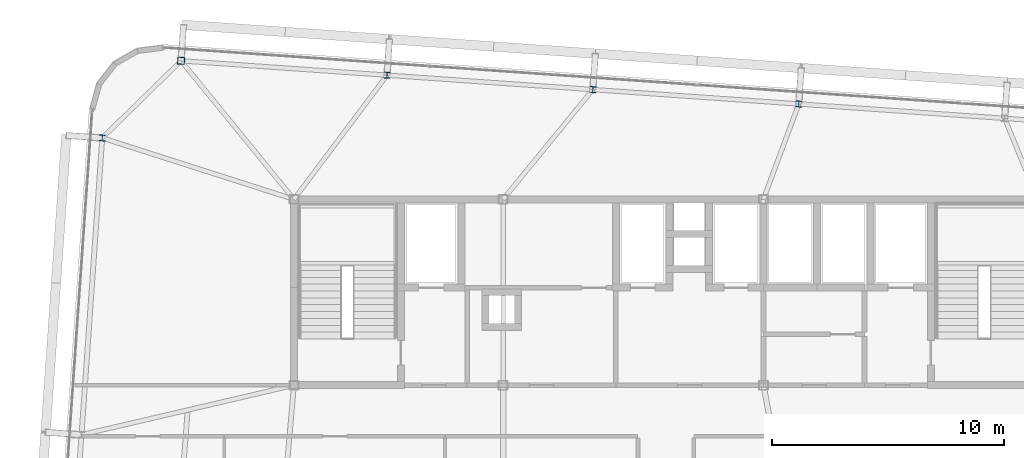
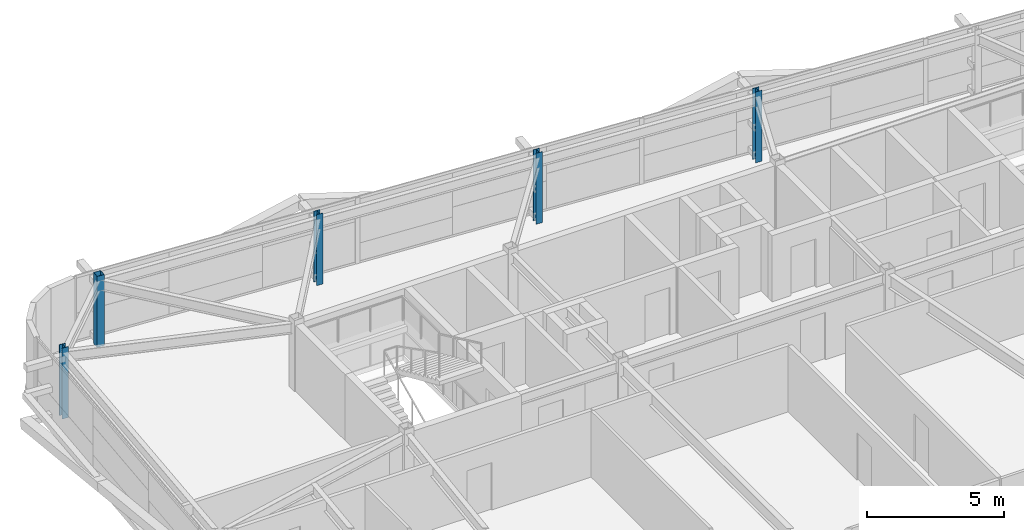
# One storey, part 4 of 39: 5 columns.
"""IFC4 building model written with IfcOpenShell, lengths in metres."""

from ifc_helpers import new_model, si_unit, direction, frame, origin, origin_2d, place, context, subcontext, project, spatial, hollow_rectangle, i_section, extrude, source, transform, mapped, material, material_profile, profile_set, type_object, element, save


model = new_model("IFC4")

# Units and contexts
model_context = context("Model", 3, precision=1e-05, world=origin(), true_north=direction((0.0, 1.0)))
body_context = subcontext(model_context, "Body", "Model", "MODEL_VIEW")
ifc_project = project(units=[si_unit("LENGTHUNIT", "METRE"), si_unit("AREAUNIT", "SQUARE_METRE"), si_unit("VOLUMEUNIT", "CUBIC_METRE"), si_unit("PLANEANGLEUNIT", "RADIAN"), si_unit("MASSUNIT", "GRAM", prefix="KILO")], contexts=[model_context])

# Site, building, storey
site_placement = place(None, origin())
site = spatial("IfcSite", under=ifc_project, at=site_placement, CompositionType="ELEMENT")
building_placement = place(site_placement, origin())
building = spatial("IfcBuilding", under=site, at=building_placement, Name="Taldren Reach Tower", CompositionType="ELEMENT")
storey_placement = place(building_placement, frame((0.0, 0.0, 126.699951171875)))
storey = spatial("IfcBuildingStorey", under=building, at=storey_placement, Name="L38", CompositionType="ELEMENT", Elevation=126.699951171875)

# Columns
ifc_material_1 = material(Name="Steel Gr 450 (C450L0)", Category="steel")
ifc_material_profile_1 = material_profile(ifc_material_1, hollow_rectangle(XDim=0.300048828125, YDim=0.300048828125, WallThickness=0.012451171875, at=origin_2d()), Name="300x300x12.5SHS")
ifc_profile_set_1 = profile_set([ifc_material_profile_1], Name="Steel Gr 450 (C450L0)")
column_type_1 = type_object("IfcColumnType", Name="COL-SHS300", PredefinedType="COLUMN", material=ifc_profile_set_1)
shared_shape_1 = source(origin(), body_context, "Body", "SweptSolid", [
    extrude(hollow_rectangle(XDim=0.300048828125, YDim=0.300048828125, WallThickness=0.012451171875, at=origin_2d()), origin(), (0.0, 0.0, 1.0), 3.150146484375),
])
column_placement = place(storey_placement, frame((14.14453125, 37.958740234375, 0.0), z_axis=(0.0, 0.0, 1.0), x_axis=(0.99756405026, -0.069756473744, 0.0)))
element("IfcColumn", 1, at=column_placement, inside=storey, type_object=column_type_1, Name="Block B3 perimeter column N1 L38", PredefinedType="COLUMN", context=body_context, shape_type="MappedRepresentation", body=[
    mapped(shared_shape_1, transform((0.0, 0.0, 0.0), scale=1.0)),
])
ifc_material_2 = material(Name="Steel Gr 350 (350PLUS)", Category="steel")
ifc_material_profile_2 = material_profile(ifc_material_2, i_section(OverallWidth=0.256103515625, OverallDepth=0.260009765625, WebThickness=0.010498046875, FlangeThickness=0.017333984375, at=origin_2d()), Name="250UC89.5")
ifc_profile_set_2 = profile_set([ifc_material_profile_2], Name="Steel Gr 350 (350PLUS)")
column_type_2 = type_object("IfcColumnType", Name="COL-UC250", PredefinedType="COLUMN", material=ifc_profile_set_2)
shared_shape_2 = source(origin(), body_context, "Body", "SweptSolid", [
    extrude(i_section(OverallWidth=0.256103515625, OverallDepth=0.260009765625, WebThickness=0.010498046875, FlangeThickness=0.017333984375, at=origin_2d()), origin(), (0.0, 0.0, 1.0), 3.150146484375),
])
for number, where, z_axis, x_axis, name in (
    (2, (23.0029296875, 37.33935546875, 0.0), (0.0, 0.0, 1.0), (0.99756405026, -0.069756473744, 0.0), "Block B3 perimeter column N2 L38"),
    (3, (31.861328125, 36.719970703125, 0.0), (0.0, 0.0, 1.0), (0.99756405026, -0.069756473744, 0.0), "Block B3 perimeter column N3 L38"),
    (4, (40.7197265625, 36.100341796875, 0.0), (0.0, 0.0, 1.0), (0.99756405026, -0.069756473744, 0.0), "Block B3 perimeter column N4 L38"),
    (5, (10.754638671875, 34.63720703125, 0.0), (0.0, 0.0, 1.0), (0.99756405026, -0.069756473744, 0.0), "Block B3 perimeter column W3 L38"),
):
    element("IfcColumn", number, at=place(storey_placement, frame(where, z_axis=z_axis, x_axis=x_axis)), inside=storey, type_object=column_type_2, Name=name, PredefinedType="COLUMN", context=body_context, shape_type="MappedRepresentation", body=[
        mapped(shared_shape_2, transform((0.0, 0.0, 0.0), scale=1.0)),
    ])

save(model, "model.ifc")
